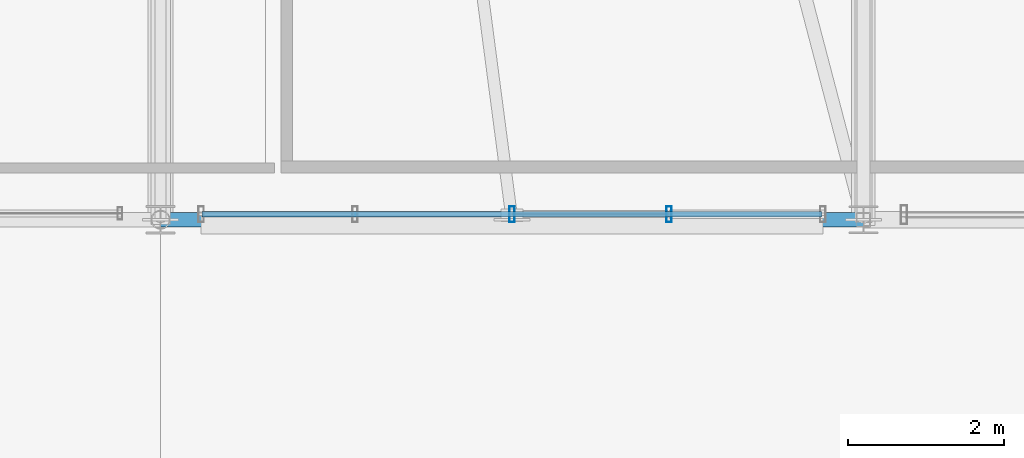
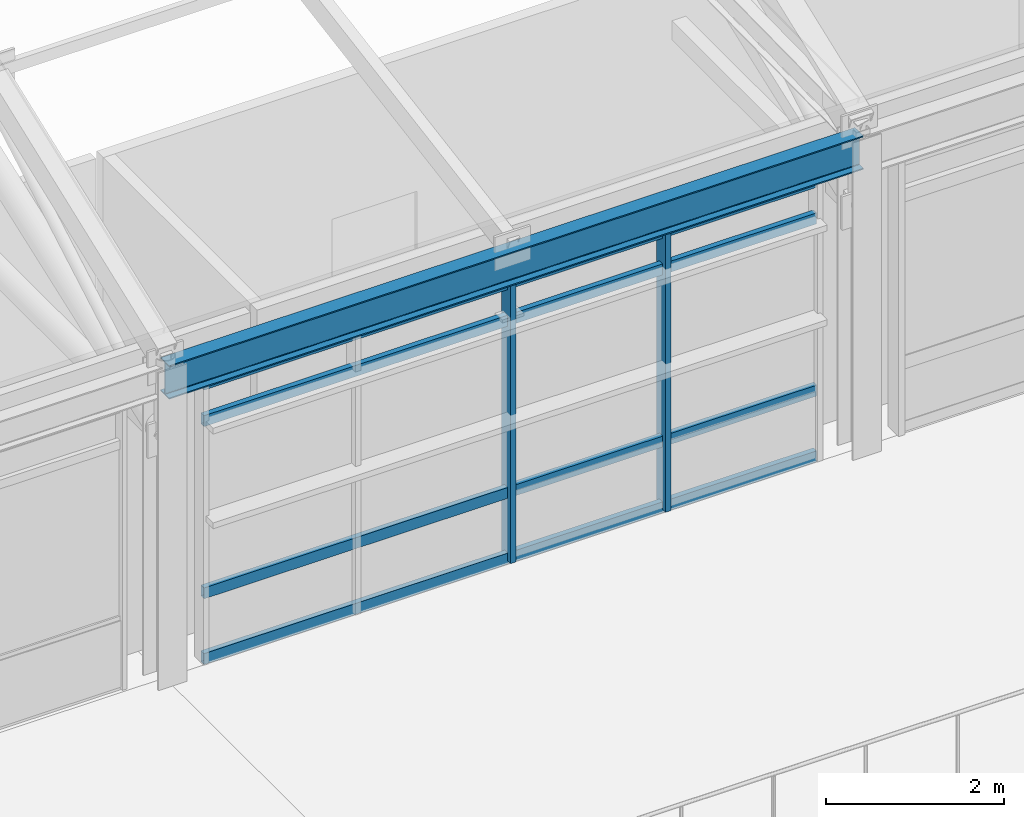
# One storey, part 23 of 168: 6 members, 1 beam, 1 element without a shape of its own.
"""IFC4 building model written with IfcOpenShell, lengths in metres."""

from ifc_helpers import new_model, si_unit, direction, frame, origin, origin_2d, place, context, subcontext, project, spatial, hollow_rectangle, i_section, extrude, material, material_profile, profile_set, type_object, element, aggregate, save


model = new_model("IFC4")

# Units and contexts
model_context = context("Model", 3, precision=1e-05, world=origin(), true_north=direction((0.0, 1.0)))
body_context = subcontext(model_context, "Body", "Model", "MODEL_VIEW")
ifc_project = project(units=[si_unit("LENGTHUNIT", "METRE"), si_unit("AREAUNIT", "SQUARE_METRE"), si_unit("VOLUMEUNIT", "CUBIC_METRE"), si_unit("PLANEANGLEUNIT", "RADIAN"), si_unit("MASSUNIT", "GRAM", prefix="KILO"), si_unit("THERMODYNAMICTEMPERATUREUNIT", "KELVIN"), si_unit("POWERUNIT", "WATT")], contexts=[model_context])

# Site, building, storey
site_placement = place(None, origin())
site = spatial("IfcSite", under=ifc_project, at=site_placement, CompositionType="ELEMENT")
building_placement = place(site_placement, origin())
building = spatial("IfcBuilding", under=site, at=building_placement, Name="Tepalcoro Natatorium and Aquatics Centre", CompositionType="ELEMENT")
storey_placement = place(building_placement, frame((0.0, 0.0, 10.199951171875)))
storey = spatial("IfcBuildingStorey", under=building, at=storey_placement, Name="L02", CompositionType="ELEMENT", Elevation=10.199951171875)

# Curtain wall, members
ifc_material_1 = material(Name="Bronze-Anodised Extruded Aluminium Alloy EN AW-6063 T6", Category="aluminium")
curtain_wall_type = type_object("IfcCurtainWallType", Name="CW_V5_UPPER", PredefinedType="USERDEFINED", material=ifc_material_1)
curtain_wall_placement = place(storey_placement, origin())
curtain_wall = element("IfcCurtainWall", 1, at=curtain_wall_placement, inside=storey, type_object=curtain_wall_type, Name="V1 L02 S Unitised Curtain Wall Bay 5", ObjectType="FACETED SOLAR GLAZING", PredefinedType="USERDEFINED")
ifc_material_profile_1 = material_profile(ifc_material_1, hollow_rectangle(XDim=0.070068359375, YDim=0.199951171875, WallThickness=0.0048828125, at=origin_2d()), Name="AL70X200X5")
ifc_profile_set_1 = profile_set([ifc_material_profile_1], Name="Bronze-Anodised Extruded Aluminium Alloy EN AW-6063 T6")
member_type_1 = type_object("IfcMemberType", Name="CW_MUL_70x200", PredefinedType="MULLION", material=ifc_profile_set_1)
member_1_placement = place(storey_placement, frame((93.5, 13.0712890625, 0.02001953125), z_axis=(0.0, 0.0, 1.0), x_axis=(1.0, 0.0, 0.0)))
member_1 = element("IfcMember", 2, at=member_1_placement, type_object=member_type_1, Name="CW_V5_UPPER Curtain Wall Mullion", PredefinedType="MULLION", context=body_context, shape_type="SweptSolid", body=[
    extrude(hollow_rectangle(XDim=0.070068359375, YDim=0.199951171875, WallThickness=0.0048828125, at=origin_2d()), origin(), (0.0, 0.0, 1.0), 3.820068359375),
])
member_2_placement = place(storey_placement, frame((95.510009765625, 13.0712890625, 0.02001953125), z_axis=(0.0, 0.0, 1.0), x_axis=(1.0, 0.0, 0.0)))
member_2 = element("IfcMember", 3, at=member_2_placement, type_object=member_type_1, Name="CW_V5_UPPER Curtain Wall Mullion", PredefinedType="MULLION", context=body_context, shape_type="SweptSolid", body=[
    extrude(hollow_rectangle(XDim=0.070068359375, YDim=0.199951171875, WallThickness=0.0048828125, at=origin_2d()), origin(), (0.0, 0.0, 1.0), 3.820068359375),
])
ifc_material_profile_2 = material_profile(ifc_material_1, hollow_rectangle(XDim=0.070068359375, YDim=0.14990234375, WallThickness=0.00390625, at=origin_2d()), Name="AL70X150X4")
ifc_profile_set_2 = profile_set([ifc_material_profile_2], Name="Bronze-Anodised Extruded Aluminium Alloy EN AW-6063 T6")
member_type_2 = type_object("IfcMemberType", Name="CW_TRN_70x150", PredefinedType="USERDEFINED", material=ifc_profile_set_2)
member_3_placement = place(storey_placement, frame((89.530029296875, 13.0712890625, 0.050048828125), z_axis=(1.0, 0.0, 0.0), x_axis=(0.0, 1.0, 0.0)))
member_3 = element("IfcMember", 4, at=member_3_placement, type_object=member_type_2, Name="CW_V5_UPPER Curtain Wall Transom", ObjectType="TRANSOM", PredefinedType="USERDEFINED", context=body_context, shape_type="SweptSolid", body=[
    extrude(hollow_rectangle(XDim=0.070068359375, YDim=0.14990234375, WallThickness=0.00390625, at=origin_2d()), origin(), (0.0, 0.0, 1.0), 7.93994140625),
])
member_4_placement = place(storey_placement, frame((89.530029296875, 13.0712890625, 0.949951171875), z_axis=(1.0, 0.0, 0.0), x_axis=(0.0, 1.0, 0.0)))
member_4 = element("IfcMember", 5, at=member_4_placement, type_object=member_type_2, Name="CW_V5_UPPER Curtain Wall Transom", ObjectType="TRANSOM", PredefinedType="USERDEFINED", context=body_context, shape_type="SweptSolid", body=[
    extrude(hollow_rectangle(XDim=0.070068359375, YDim=0.14990234375, WallThickness=0.00390625, at=origin_2d()), origin(), (0.0, 0.0, 1.0), 7.93994140625),
])
member_5_placement = place(storey_placement, frame((89.530029296875, 13.0712890625, 3.31005859375), z_axis=(1.0, 0.0, 0.0), x_axis=(0.0, 1.0, 0.0)))
member_5 = element("IfcMember", 6, at=member_5_placement, type_object=member_type_2, Name="CW_V5_UPPER Curtain Wall Transom", ObjectType="TRANSOM", PredefinedType="USERDEFINED", context=body_context, shape_type="SweptSolid", body=[
    extrude(hollow_rectangle(XDim=0.070068359375, YDim=0.14990234375, WallThickness=0.00390625, at=origin_2d()), origin(), (0.0, 0.0, 1.0), 7.93994140625),
])
member_6_placement = place(storey_placement, frame((89.530029296875, 13.0712890625, 3.81005859375), z_axis=(1.0, 0.0, 0.0), x_axis=(0.0, 1.0, 0.0)))
member_6 = element("IfcMember", 7, at=member_6_placement, type_object=member_type_2, Name="CW_V5_UPPER Curtain Wall Transom", ObjectType="TRANSOM", PredefinedType="USERDEFINED", context=body_context, shape_type="SweptSolid", body=[
    extrude(hollow_rectangle(XDim=0.070068359375, YDim=0.14990234375, WallThickness=0.00390625, at=origin_2d()), origin(), (0.0, 0.0, 1.0), 7.93994140625),
])
aggregate(curtain_wall, [member_1, member_2, member_3, member_4, member_5, member_6])

# Beam
ifc_material_2 = material(Name="Steel ASTM A992 Grade 50 (Fy 345 MPa)", Category="steel")
ifc_material_profile_3 = material_profile(ifc_material_2, i_section(OverallWidth=0.19091796875, OverallDepth=0.4599609375, WebThickness=0.010009765625, FlangeThickness=0.01611328125, FilletRadius=0.013916015625, at=origin_2d()), Name="W18X55")
ifc_profile_set_3 = profile_set([ifc_material_profile_3], Name="Steel ASTM A992 Grade 50 (Fy 345 MPa)")
beam_type = type_object("IfcBeamType", Name="SP_W18x55", PredefinedType="SPANDREL", material=ifc_profile_set_3)
beam_placement = place(storey_placement, frame((89.0, 13.0, 4.10498046875), z_axis=(1.0, 0.0, 0.0), x_axis=(0.0, 1.0, 0.0)))
element("IfcBeam", 8, at=beam_placement, inside=storey, type_object=beam_type, Name="V1 L02 Grid Girder X", PredefinedType="SPANDREL", context=body_context, shape_type="SweptSolid", body=[
    extrude(i_section(OverallWidth=0.19091796875, OverallDepth=0.4599609375, WebThickness=0.010009765625, FlangeThickness=0.01611328125, FilletRadius=0.013916015625, at=origin_2d()), origin(), (0.0, 0.0, 1.0), 9.0),
])

save(model, "model.ifc")
